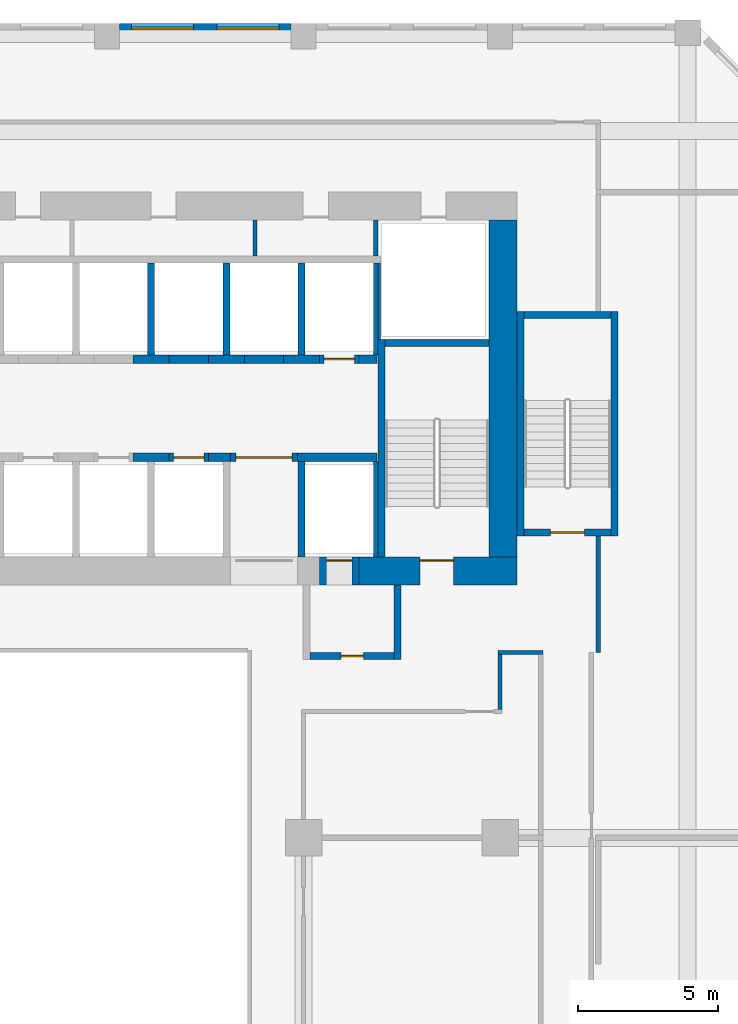
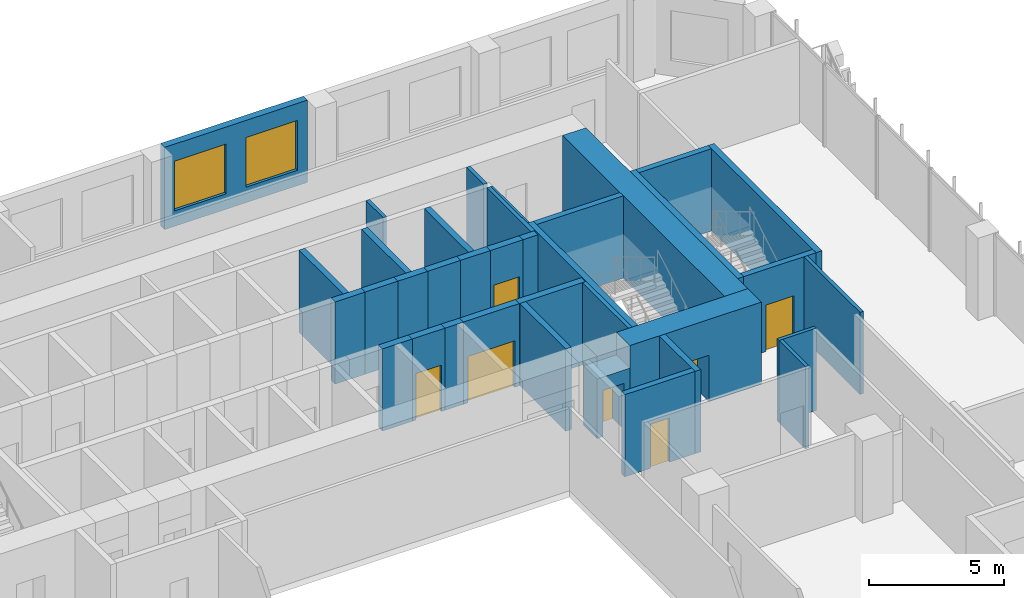
# One storey, part 17 of 27: 36 walls, 7 doors, 2 windows, 9 openings.
"""IFC4 building model written with IfcOpenShell, lengths in metres."""

from ifc_helpers import new_model, si_unit, direction, frame, frame_2d, origin, place, context, subcontext, project, spatial, rectangle, extrude, source, transform, mapped, material, layer, layer_set, type_object, element, fill, save


model = new_model("IFC4")

# Units and contexts
model_context = context("Model", 3, precision=1e-05, world=origin(), true_north=direction((0.0, 1.0)))
body_context = subcontext(model_context, "Body", "Model", "MODEL_VIEW")
ifc_project = project(units=[si_unit("LENGTHUNIT", "METRE"), si_unit("AREAUNIT", "SQUARE_METRE"), si_unit("VOLUMEUNIT", "CUBIC_METRE"), si_unit("PLANEANGLEUNIT", "RADIAN"), si_unit("MASSUNIT", "GRAM", prefix="KILO")], contexts=[model_context])

# Site, building, storey
site_placement = place(None, origin())
site = spatial("IfcSite", under=ifc_project, at=site_placement, CompositionType="ELEMENT")
building_placement = place(site_placement, origin())
building = spatial("IfcBuilding", under=site, at=building_placement, Name="Kilnfold Tower and Market Hall", CompositionType="ELEMENT")
storey_placement = place(building_placement, frame((0.0, 0.0, 51.0)))
storey = spatial("IfcBuildingStorey", under=building, at=storey_placement, Name="L11", CompositionType="ELEMENT", Elevation=51.0)

# Walls
ifc_material_1 = material(Name="Gypsum board on steel studs", Category="steel")
ifc_layer_1 = layer(ifc_material_1, 0.14990234375)
ifc_layer_set_1 = layer_set([ifc_layer_1], Name="Gypsum board on steel studs")
wall_type_1 = type_object("IfcWallType", Name="WALL CORRIDOR 150", PredefinedType="PARTITIONING", material=ifc_layer_set_1)
wall_1_placement = place(storey_placement, frame((17.425048828125, 5.60009765625, 0.0), z_axis=(0.0, 0.0, 1.0), x_axis=(1.0, 0.0, 0.0)))
element("IfcWall", 1, at=wall_1_placement, inside=storey, type_object=wall_type_1, Name="Partition LY10.34", PredefinedType="PARTITIONING", context=body_context, shape_type="SweptSolid", body=[
    extrude(rectangle(XDim=1.599853515625, YDim=0.14990234375, at=frame_2d((0.7998046875, 0.0))), origin(), (0.0, 0.0, 1.0), 3.719970703125),
])
wall_2_placement = place(storey_placement, frame((17.5, 3.574951171875, 0.0), z_axis=(0.0, 0.0, 1.0), x_axis=(0.0, 1.0, 0.0)))
element("IfcWall", 2, at=wall_2_placement, inside=storey, type_object=wall_type_1, Name="Partition LY10.35", PredefinedType="PARTITIONING", context=body_context, shape_type="SweptSolid", body=[
    extrude(rectangle(XDim=1.949951171875, YDim=0.14990234375, at=frame_2d((0.97509765625, 0.0))), origin(), (0.0, 0.0, 1.0), 3.719970703125),
])
wall_3_placement = place(storey_placement, frame((21.0, 5.60009765625, 0.0), z_axis=(0.0, 0.0, 1.0), x_axis=(0.0, 1.0, 0.0)))
element("IfcWall", 3, at=wall_3_placement, inside=storey, type_object=wall_type_1, Name="Partition LY10.38", PredefinedType="PARTITIONING", context=body_context, shape_type="SweptSolid", body=[
    extrude(rectangle(XDim=4.14990234375, YDim=0.14990234375, at=frame_2d((2.074951171875, 0.0))), origin(), (0.0, 0.0, 1.0), 3.719970703125),
])

# Wall, opening, door
ifc_material_2 = material(Name="Concrete C80", Category="concrete")
ifc_layer_2 = layer(ifc_material_2, 1.0)
ifc_layer_set_2 = layer_set([ifc_layer_2], Name="Concrete C80")
wall_type_2 = type_object("IfcWallType", Name="CORE WALL 1000 C80", PredefinedType="SHEAR", material=ifc_layer_set_2)
shared_shape_1 = source(origin(), body_context, "Body", "SweptSolid", [
    extrude(rectangle(XDim=5.630126953125, YDim=1.0, at=frame_2d((2.81494140625, 0.0))), origin(), (0.0, 0.0, 1.0), 3.719970703125),
])
wall_4_placement = place(storey_placement, frame((12.469970703125, 8.5, 0.0), z_axis=(0.0, 0.0, 1.0), x_axis=(1.0, 0.0, 0.0)))
wall_4 = element("IfcWall", 4, at=wall_4_placement, inside=storey, type_object=wall_type_2, Name="Core outer wall south", PredefinedType="SHEAR", context=body_context, shape_type="MappedRepresentation", body=[
    mapped(shared_shape_1, transform((0.0, 0.0, 0.0))),
])
opening_1_placement = place(wall_4_placement, frame((2.179931640625, 0.0, 0.0)))
opening_1 = element("IfcOpeningElement", 5, at=opening_1_placement, cuts=wall_4, Name="Opening SD1", PredefinedType="OPENING", context=body_context, shape_type="SweptSolid", body=[
    extrude(rectangle(XDim=1.199951171875, YDim=2.10009765625, at=frame_2d((0.60009765625, 1.050048828125))), frame((0.0, 0.510009765625, 0.0), z_axis=(0.0, -1.0, 0.0), x_axis=(1.0, 0.0, 0.0)), (0.0, 0.0, 1.0), 1.02001953125),
])
ifc_material_3 = material(Name="Steel door set with fire-resisting leaf", Category="steel")
door_type_1 = type_object("IfcDoorType", Name="STAIR FLOOR DOOR 1200X2100", OperationType="NOTDEFINED", PredefinedType="DOOR", material=ifc_material_3)
door_1_placement = place(opening_1_placement, origin())
door_1 = element("IfcDoor", 6, at=door_1_placement, inside=storey, type_object=door_type_1, Name="Exit stair ST2 door", OperationType="DOUBLE_DOOR_SINGLE_SWING", OverallHeight=2.10009765625, OverallWidth=1.199951171875, PredefinedType="DOOR", context=body_context, shape_type="SweptSolid", body=[
    extrude(rectangle(XDim=1.199951171875, YDim=2.10009765625, at=frame_2d((0.60009765625, 1.050048828125))), frame((0.0, 0.40478515625, 0.0), z_axis=(0.0, -1.0, 0.0), x_axis=(1.0, 0.0, 0.0)), (0.0, 0.0, 1.0), 0.050048828125),
])
fill(opening_1, door_1)

# Walls
shared_shape_2 = source(origin(), body_context, "Body", "SweptSolid", [
    extrude(rectangle(XDim=12.0, YDim=1.0, at=frame_2d((6.0, 0.0))), origin(), (0.0, 0.0, 1.0), 3.719970703125),
])
wall_5_placement = place(storey_placement, frame((17.60009765625, 9.0, 0.0), z_axis=(0.0, 0.0, 1.0), x_axis=(0.0, 1.0, 0.0)))
element("IfcWall", 7, at=wall_5_placement, inside=storey, type_object=wall_type_2, Name="Core outer wall east", PredefinedType="SHEAR", context=body_context, shape_type="MappedRepresentation", body=[
    mapped(shared_shape_2, transform((0.0, 0.0, 0.0))),
])
ifc_material_4 = material(Name="Concrete C80", Category="concrete")
ifc_layer_3 = layer(ifc_material_4, 0.25)
ifc_layer_set_3 = layer_set([ifc_layer_3], Name="Concrete C80")
wall_type_3 = type_object("IfcWallType", Name="CORE WALL 250 C80", PredefinedType="SHEAR", material=ifc_layer_set_3)
shared_shape_3 = source(origin(), body_context, "Body", "SweptSolid", [
    extrude(rectangle(XDim=7.75, YDim=0.25, at=frame_2d((3.875, 0.0))), origin(), (0.0, 0.0, 1.0), 3.719970703125),
])
wall_6_placement = place(storey_placement, frame((13.27490234375, 9.0, 0.0), z_axis=(0.0, 0.0, 1.0), x_axis=(0.0, 1.0, 0.0)))
element("IfcWall", 8, at=wall_6_placement, inside=storey, type_object=wall_type_3, Name="Stair enclosure ST2", PredefinedType="SHEAR", context=body_context, shape_type="MappedRepresentation", body=[
    mapped(shared_shape_3, transform((0.0, 0.0, 0.0))),
])
shared_shape_4 = source(origin(), body_context, "Body", "SweptSolid", [
    extrude(rectangle(XDim=3.7001953125, YDim=0.25, at=frame_2d((1.85009765625, 0.0))), origin(), (0.0, 0.0, 1.0), 3.719970703125),
])
wall_7_placement = place(storey_placement, frame((13.39990234375, 16.625, 0.0), z_axis=(0.0, 0.0, 1.0), x_axis=(1.0, 0.0, 0.0)))
element("IfcWall", 9, at=wall_7_placement, inside=storey, type_object=wall_type_3, Name="Stair enclosure ST2", PredefinedType="SHEAR", context=body_context, shape_type="MappedRepresentation", body=[
    mapped(shared_shape_4, transform((0.0, 0.0, 0.0))),
])
shared_shape_5 = source(origin(), body_context, "Body", "SweptSolid", [
    extrude(rectangle(XDim=8.0, YDim=0.25, at=frame_2d((4.0, 0.0))), origin(), (0.0, 0.0, 1.0), 3.719970703125),
])
for number, where, z_axis, x_axis, name in (
    (10, (18.22509765625, 9.75, 0.0), (0.0, 0.0, 1.0), (0.0, 1.0, 0.0), "Stair enclosure ST5"),
    (11, (21.574951171875, 9.75, 0.0), (0.0, 0.0, 1.0), (0.0, 1.0, 0.0), "Stair enclosure ST5"),
):
    element("IfcWall", number, at=place(storey_placement, frame(where, z_axis=z_axis, x_axis=x_axis)), inside=storey, type_object=wall_type_3, Name=name, PredefinedType="SHEAR", context=body_context, shape_type="MappedRepresentation", body=[
        mapped(shared_shape_5, transform((0.0, 0.0, 0.0))),
    ])

# Wall, opening, door
shared_shape_6 = source(origin(), body_context, "Body", "SweptSolid", [
    extrude(rectangle(XDim=3.099853515625, YDim=0.25, at=frame_2d((1.5498046875, 0.0))), origin(), (0.0, 0.0, 1.0), 3.719970703125),
])
wall_8_placement = place(storey_placement, frame((18.35009765625, 9.875, 0.0), z_axis=(0.0, 0.0, 1.0), x_axis=(1.0, 0.0, 0.0)))
wall_8 = element("IfcWall", 12, at=wall_8_placement, inside=storey, type_object=wall_type_3, Name="Stair enclosure ST5", PredefinedType="SHEAR", context=body_context, shape_type="MappedRepresentation", body=[
    mapped(shared_shape_6, transform((0.0, 0.0, 0.0))),
])
opening_2_placement = place(wall_8_placement, frame((0.949951171875, 0.0, 0.0)))
opening_2 = element("IfcOpeningElement", 13, at=opening_2_placement, cuts=wall_8, Name="Opening SD1", PredefinedType="OPENING", context=body_context, shape_type="SweptSolid", body=[
    extrude(rectangle(XDim=1.199951171875, YDim=2.10009765625, at=frame_2d((0.60009765625, 1.050048828125))), frame((0.0, 0.135009765625, 0.0), z_axis=(0.0, -1.0, 0.0), x_axis=(1.0, 0.0, 0.0)), (0.0, 0.0, 1.0), 0.27001953125),
])
door_2_placement = place(opening_2_placement, origin())
door_2 = element("IfcDoor", 14, at=door_2_placement, inside=storey, type_object=door_type_1, Name="Exit stair ST5 door", OperationType="DOUBLE_DOOR_SINGLE_SWING", OverallHeight=2.10009765625, OverallWidth=1.199951171875, PredefinedType="DOOR", context=body_context, shape_type="SweptSolid", body=[
    extrude(rectangle(XDim=1.199951171875, YDim=2.10009765625, at=frame_2d((0.60009765625, 1.050048828125))), frame((0.0, 0.02490234375, 0.0), z_axis=(0.0, -1.0, 0.0), x_axis=(1.0, 0.0, 0.0)), (0.0, 0.0, 1.0), 0.050048828125),
])
fill(opening_2, door_2)

# Walls
wall_9_placement = place(storey_placement, frame((18.35009765625, 17.625, 0.0), z_axis=(0.0, 0.0, 1.0), x_axis=(1.0, 0.0, 0.0)))
element("IfcWall", 15, at=wall_9_placement, inside=storey, type_object=wall_type_3, Name="Stair enclosure ST5", PredefinedType="SHEAR", context=body_context, shape_type="MappedRepresentation", body=[
    mapped(shared_shape_6, transform((0.0, 0.0, 0.0))),
])
ifc_material_5 = material(Name="Concrete C80", Category="concrete")
ifc_layer_4 = layer(ifc_material_5, 0.300048828125)
ifc_layer_set_4 = layer_set([ifc_layer_4], Name="Concrete C80")
wall_type_4 = type_object("IfcWallType", Name="CORE WALL 300 C80", PredefinedType="SHEAR", material=ifc_layer_set_4)
shared_shape_7 = source(origin(), body_context, "Body", "SweptSolid", [
    extrude(rectangle(XDim=1.280029296875, YDim=0.300048828125, at=frame_2d((0.64013671875, 0.0))), origin(), (0.0, 0.0, 1.0), 3.719970703125),
])
for number, where, z_axis, x_axis, name in (
    (16, (4.429931640625, 12.550048828125, 0.0), (0.0, 0.0, 1.0), (1.0, 0.0, 0.0), "Core spine wall"),
    (17, (4.429931640625, 16.050048828125, 0.0), (0.0, 0.0, 1.0), (1.0, 0.0, 0.0), "Core spine wall"),
    (18, (9.7900390625, 16.050048828125, 0.0), (0.0, 0.0, 1.0), (1.0, 0.0, 0.0), "Core spine wall"),
):
    element("IfcWall", number, at=place(storey_placement, frame(where, z_axis=z_axis, x_axis=x_axis)), inside=storey, type_object=wall_type_4, Name=name, PredefinedType="SHEAR", context=body_context, shape_type="MappedRepresentation", body=[
        mapped(shared_shape_7, transform((0.0, 0.0, 0.0))),
    ])
shared_shape_8 = source(origin(), body_context, "Body", "SweptSolid", [
    extrude(rectangle(XDim=0.77978515625, YDim=0.300048828125, at=frame_2d((0.389892578125, 0.0))), origin(), (0.0, 0.0, 1.0), 3.719970703125),
])
wall_10_placement = place(storey_placement, frame((7.110107421875, 12.550048828125, 0.0), z_axis=(0.0, 0.0, 1.0), x_axis=(1.0, 0.0, 0.0)))
element("IfcWall", 19, at=wall_10_placement, inside=storey, type_object=wall_type_4, Name="Core spine wall", PredefinedType="SHEAR", context=body_context, shape_type="MappedRepresentation", body=[
    mapped(shared_shape_8, transform((0.0, 0.0, 0.0))),
])
shared_shape_9 = source(origin(), body_context, "Body", "SweptSolid", [
    extrude(rectangle(XDim=2.820068359375, YDim=0.300048828125, at=frame_2d((1.41015625, 0.0))), origin(), (0.0, 0.0, 1.0), 3.719970703125),
])
wall_11_placement = place(storey_placement, frame((10.2900390625, 12.550048828125, 0.0), z_axis=(0.0, 0.0, 1.0), x_axis=(1.0, 0.0, 0.0)))
element("IfcWall", 20, at=wall_11_placement, inside=storey, type_object=wall_type_4, Name="Core spine wall", PredefinedType="SHEAR", context=body_context, shape_type="MappedRepresentation", body=[
    mapped(shared_shape_9, transform((0.0, 0.0, 0.0))),
])
shared_shape_10 = source(origin(), body_context, "Body", "SweptSolid", [
    extrude(rectangle(XDim=1.27978515625, YDim=0.300048828125, at=frame_2d((0.639892578125, 0.0))), origin(), (0.0, 0.0, 1.0), 3.719970703125),
])
wall_12_placement = place(storey_placement, frame((7.110107421875, 16.050048828125, 0.0), z_axis=(0.0, 0.0, 1.0), x_axis=(1.0, 0.0, 0.0)))
element("IfcWall", 21, at=wall_12_placement, inside=storey, type_object=wall_type_4, Name="Core spine wall", PredefinedType="SHEAR", context=body_context, shape_type="MappedRepresentation", body=[
    mapped(shared_shape_10, transform((0.0, 0.0, 0.0))),
])
shared_shape_11 = source(origin(), body_context, "Body", "SweptSolid", [
    extrude(rectangle(XDim=0.64013671875, YDim=0.300048828125, at=frame_2d((0.320068359375, 0.0))), origin(), (0.0, 0.0, 1.0), 3.719970703125),
])
wall_13_placement = place(storey_placement, frame((12.469970703125, 16.050048828125, 0.0), z_axis=(0.0, 0.0, 1.0), x_axis=(1.0, 0.0, 0.0)))
element("IfcWall", 22, at=wall_13_placement, inside=storey, type_object=wall_type_4, Name="Core spine wall", PredefinedType="SHEAR", context=body_context, shape_type="MappedRepresentation", body=[
    mapped(shared_shape_11, transform((0.0, 0.0, 0.0))),
])

# Wall, openings, windows
ifc_material_6 = material(Name="Precast concrete C50/60", Category="concrete")
ifc_layer_5 = layer(ifc_material_6, 0.300048828125)
ifc_layer_set_5 = layer_set([ifc_layer_5], Name="Precast concrete C50/60")
wall_type_5 = type_object("IfcWallType", Name="PRECAST WALL 300", PredefinedType="SOLIDWALL", material=ifc_layer_set_5)
shared_shape_12 = source(origin(), body_context, "Body", "SweptSolid", [
    extrude(rectangle(XDim=6.10009765625, YDim=0.300048828125, at=frame_2d((3.050048828125, 0.0))), origin(), (0.0, 0.0, 1.0), 3.719970703125),
])
wall_14_placement = place(storey_placement, frame((10.050048828125, 27.85009765625, 0.0), z_axis=(0.0, 0.0, 1.0), x_axis=(-1.0, 0.0, 0.0)))
wall_14 = element("IfcWall", 23, at=wall_14_placement, inside=storey, type_object=wall_type_5, Name="External wall L11 N", PredefinedType="SOLIDWALL", context=body_context, shape_type="MappedRepresentation", body=[
    mapped(shared_shape_12, transform((0.0, 0.0, 0.0))),
])
opening_3_placement = place(wall_14_placement, frame((0.425048828125, 0.0, 0.699951171875)))
opening_3 = element("IfcOpeningElement", 24, at=opening_3_placement, cuts=wall_14, Name="Opening W1", PredefinedType="OPENING", context=body_context, shape_type="SweptSolid", body=[
    extrude(rectangle(XDim=2.199951171875, YDim=2.25, at=frame_2d((1.10009765625, 1.125))), frame((0.0, 0.16015625, 0.0), z_axis=(0.0, -1.0, 0.0), x_axis=(1.0, 0.0, 0.0)), (0.0, 0.0, 1.0), 0.320068359375),
])
opening_4_placement = place(wall_14_placement, frame((3.47509765625, 0.0, 0.699951171875)))
opening_4 = element("IfcOpeningElement", 25, at=opening_4_placement, cuts=wall_14, Name="Opening W1", PredefinedType="OPENING", context=body_context, shape_type="SweptSolid", body=[
    extrude(rectangle(XDim=2.199951171875, YDim=2.25, at=frame_2d((1.10009765625, 1.125))), frame((0.0, 0.16015625, 0.0), z_axis=(0.0, -1.0, 0.0), x_axis=(1.0, 0.0, 0.0)), (0.0, 0.0, 1.0), 0.320068359375),
])
ifc_material_7 = material(Name="Aluminium frame and double glazing", Category="aluminium")
window_type = type_object("IfcWindowType", Name="WINDOW W1 2200X2250", PartitioningType="SINGLE_PANEL", PredefinedType="WINDOW", material=ifc_material_7)
window_1_placement = place(opening_3_placement, origin())
window_1 = element("IfcWindow", 26, at=window_1_placement, inside=storey, type_object=window_type, Name="Window W1 L11 N-1", OverallHeight=2.25, OverallWidth=2.199951171875, PartitioningType="SINGLE_PANEL", PredefinedType="WINDOW", context=body_context, shape_type="SweptSolid", body=[
    extrude(rectangle(XDim=2.199951171875, YDim=2.25, at=frame_2d((1.10009765625, 1.125))), frame((0.0, 0.030029296875, 0.0), z_axis=(0.0, -1.0, 0.0), x_axis=(1.0, 0.0, 0.0)), (0.0, 0.0, 1.0), 0.06005859375),
])
fill(opening_3, window_1)
window_2_placement = place(opening_4_placement, origin())
window_2 = element("IfcWindow", 27, at=window_2_placement, inside=storey, type_object=window_type, Name="Window W1 L11 N-2", OverallHeight=2.25, OverallWidth=2.199951171875, PartitioningType="SINGLE_PANEL", PredefinedType="WINDOW", context=body_context, shape_type="SweptSolid", body=[
    extrude(rectangle(XDim=2.199951171875, YDim=2.25, at=frame_2d((1.10009765625, 1.125))), frame((0.0, 0.030029296875, 0.0), z_axis=(0.0, -1.0, 0.0), x_axis=(1.0, 0.0, 0.0)), (0.0, 0.0, 1.0), 0.06005859375),
])
fill(opening_4, window_2)

# Wall, opening, door
ifc_material_8 = material(Name="Gypsum shaft wall system")
ifc_layer_6 = layer(ifc_material_8, 1.0)
ifc_layer_set_6 = layer_set([ifc_layer_6], Name="Gypsum shaft wall system")
wall_type_6 = type_object("IfcWallType", Name="LOBBY WALL 1000", PredefinedType="PARTITIONING", material=ifc_layer_set_6)
shared_shape_13 = source(origin(), body_context, "Body", "SweptSolid", [
    extrude(rectangle(XDim=1.39990234375, YDim=1.0, at=frame_2d((0.699951171875, 0.0))), origin(), (0.0, 0.0, 1.0), 2.699951171875),
])
wall_15_placement = place(storey_placement, frame((11.070068359375, 8.5, 0.0), z_axis=(0.0, 0.0, 1.0), x_axis=(1.0, 0.0, 0.0)))
wall_15 = element("IfcWall", 28, at=wall_15_placement, inside=storey, type_object=wall_type_6, Name="Core wall infill", PredefinedType="PARTITIONING", context=body_context, shape_type="MappedRepresentation", body=[
    mapped(shared_shape_13, transform((0.0, 0.0, 0.0))),
])
opening_5_placement = place(wall_15_placement, frame((0.25, 0.0, 0.0)))
opening_5 = element("IfcOpeningElement", 29, at=opening_5_placement, cuts=wall_15, Name="Opening LD1", PredefinedType="OPENING", context=body_context, shape_type="SweptSolid", body=[
    extrude(rectangle(XDim=0.89990234375, YDim=2.10009765625, at=frame_2d((0.449951171875, 1.050048828125))), frame((0.0, 0.510009765625, 0.0), z_axis=(0.0, -1.0, 0.0), x_axis=(1.0, 0.0, 0.0)), (0.0, 0.0, 1.0), 1.02001953125),
])
ifc_material_9 = material(Name="Steel door set with fire-resisting leaf", Category="steel")
door_type_2 = type_object("IfcDoorType", Name="FIREFIGHTING LANDING DOOR 900X2100", OperationType="NOTDEFINED", PredefinedType="DOOR", material=ifc_material_9)
door_3_placement = place(opening_5_placement, origin())
door_3 = element("IfcDoor", 30, at=door_3_placement, inside=storey, type_object=door_type_2, Name="Landing door FF3", OperationType="SLIDING_TO_LEFT", OverallHeight=2.10009765625, OverallWidth=0.89990234375, PredefinedType="DOOR", context=body_context, shape_type="SweptSolid", body=[
    extrude(rectangle(XDim=0.89990234375, YDim=2.10009765625, at=frame_2d((0.449951171875, 1.050048828125))), frame((0.0, 0.40478515625, 0.0), z_axis=(0.0, -1.0, 0.0), x_axis=(1.0, 0.0, 0.0)), (0.0, 0.0, 1.0), 0.050048828125),
])
fill(opening_5, door_3)

ifc_material_10 = material(Name="Gypsum shaft wall system")
ifc_layer_7 = layer(ifc_material_10, 0.300048828125)
ifc_layer_set_7 = layer_set([ifc_layer_7], Name="Gypsum shaft wall system")
wall_type_7 = type_object("IfcWallType", Name="SHAFT WALL 300", PredefinedType="PARTITIONING", material=ifc_layer_set_7)
shared_shape_14 = source(origin(), body_context, "Body", "SweptSolid", [
    extrude(rectangle(XDim=1.39990234375, YDim=0.300048828125, at=frame_2d((0.699951171875, 0.0))), origin(), (0.0, 0.0, 1.0), 3.719970703125),
])
wall_16_placement = place(storey_placement, frame((11.070068359375, 16.050048828125, 0.0), z_axis=(0.0, 0.0, 1.0), x_axis=(1.0, 0.0, 0.0)))
wall_16 = element("IfcWall", 31, at=wall_16_placement, inside=storey, type_object=wall_type_7, Name="Lift shaft front wall", PredefinedType="PARTITIONING", context=body_context, shape_type="MappedRepresentation", body=[
    mapped(shared_shape_14, transform((0.0, 0.0, 0.0))),
])
opening_6_placement = place(wall_16_placement, frame((0.14990234375, 0.0, 0.0)))
opening_6 = element("IfcOpeningElement", 32, at=opening_6_placement, cuts=wall_16, Name="Opening LD2", PredefinedType="OPENING", context=body_context, shape_type="SweptSolid", body=[
    extrude(rectangle(XDim=1.10009765625, YDim=2.10009765625, at=frame_2d((0.550048828125, 1.050048828125))), frame((0.0, 0.16015625, 0.0), z_axis=(0.0, -1.0, 0.0), x_axis=(1.0, 0.0, 0.0)), (0.0, 0.0, 1.0), 0.320068359375),
])
ifc_material_11 = material(Name="Steel door set with fire-resisting leaf", Category="steel")
door_type_3 = type_object("IfcDoorType", Name="LANDING DOOR 1100X2100", OperationType="NOTDEFINED", PredefinedType="DOOR", material=ifc_material_11)
door_4_placement = place(opening_6_placement, origin())
door_4 = element("IfcDoor", 33, at=door_4_placement, inside=storey, type_object=door_type_3, Name="Landing door LR6", OperationType="DOUBLE_DOOR_SLIDING", OverallHeight=2.10009765625, OverallWidth=1.10009765625, PredefinedType="DOOR", context=body_context, shape_type="SweptSolid", body=[
    extrude(rectangle(XDim=1.10009765625, YDim=2.10009765625, at=frame_2d((0.550048828125, 1.050048828125))), frame((0.0, 0.02490234375, 0.0), z_axis=(0.0, -1.0, 0.0), x_axis=(1.0, 0.0, 0.0)), (0.0, 0.0, 1.0), 0.050048828125),
])
fill(opening_6, door_4)

shared_shape_15 = source(origin(), body_context, "Body", "SweptSolid", [
    extrude(rectangle(XDim=1.400146484375, YDim=0.300048828125, at=frame_2d((0.7001953125, 0.0))), origin(), (0.0, 0.0, 1.0), 3.719970703125),
])
wall_17_placement = place(storey_placement, frame((5.7099609375, 12.550048828125, 0.0), z_axis=(0.0, 0.0, 1.0), x_axis=(1.0, 0.0, 0.0)))
wall_17 = element("IfcWall", 34, at=wall_17_placement, inside=storey, type_object=wall_type_7, Name="Lift shaft front wall", PredefinedType="PARTITIONING", context=body_context, shape_type="MappedRepresentation", body=[
    mapped(shared_shape_15, transform((0.0, 0.0, 0.0))),
])
opening_7_placement = place(wall_17_placement, frame((0.14990234375, 0.0, 0.0)))
opening_7 = element("IfcOpeningElement", 35, at=opening_7_placement, cuts=wall_17, Name="Opening LD2", PredefinedType="OPENING", context=body_context, shape_type="SweptSolid", body=[
    extrude(rectangle(XDim=1.10009765625, YDim=2.10009765625, at=frame_2d((0.550048828125, 1.050048828125))), frame((0.0, 0.16015625, 0.0), z_axis=(0.0, -1.0, 0.0), x_axis=(1.0, 0.0, 0.0)), (0.0, 0.0, 1.0), 0.320068359375),
])
door_5_placement = place(opening_7_placement, origin())
door_5 = element("IfcDoor", 36, at=door_5_placement, inside=storey, type_object=door_type_3, Name="Landing door LR5", OperationType="DOUBLE_DOOR_SLIDING", OverallHeight=2.10009765625, OverallWidth=1.10009765625, PredefinedType="DOOR", context=body_context, shape_type="SweptSolid", body=[
    extrude(rectangle(XDim=1.10009765625, YDim=2.10009765625, at=frame_2d((0.550048828125, 1.050048828125))), frame((0.0, 0.02490234375, 0.0), z_axis=(0.0, -1.0, 0.0), x_axis=(1.0, 0.0, 0.0)), (0.0, 0.0, 1.0), 0.050048828125),
])
fill(opening_7, door_5)

# Walls
for number, where, z_axis, x_axis, name in (
    (37, (5.7099609375, 16.050048828125, 0.0), (0.0, 0.0, 1.0), (1.0, 0.0, 0.0), "Lift shaft front wall"),
    (38, (8.389892578125, 16.050048828125, 0.0), (0.0, 0.0, 1.0), (1.0, 0.0, 0.0), "Lift shaft front wall"),
):
    element("IfcWall", number, at=place(storey_placement, frame(where, z_axis=z_axis, x_axis=x_axis)), inside=storey, type_object=wall_type_7, Name=name, PredefinedType="PARTITIONING", context=body_context, shape_type="MappedRepresentation", body=[
        mapped(shared_shape_15, transform((0.0, 0.0, 0.0))),
    ])

# Wall, opening, door
shared_shape_16 = source(origin(), body_context, "Body", "SweptSolid", [
    extrude(rectangle(XDim=2.400146484375, YDim=0.300048828125, at=frame_2d((1.2001953125, 0.0))), origin(), (0.0, 0.0, 1.0), 3.719970703125),
])
wall_18_placement = place(storey_placement, frame((7.889892578125, 12.550048828125, 0.0), z_axis=(0.0, 0.0, 1.0), x_axis=(1.0, 0.0, 0.0)))
wall_18 = element("IfcWall", 39, at=wall_18_placement, inside=storey, type_object=wall_type_7, Name="Lift shaft front wall", PredefinedType="PARTITIONING", context=body_context, shape_type="MappedRepresentation", body=[
    mapped(shared_shape_16, transform((0.0, 0.0, 0.0))),
])
opening_8_placement = place(wall_18_placement, frame((0.199951171875, 0.0, 0.0)))
opening_8 = element("IfcOpeningElement", 40, at=opening_8_placement, cuts=wall_18, Name="Opening VD2", PredefinedType="OPENING", context=body_context, shape_type="SweptSolid", body=[
    extrude(rectangle(XDim=2.0, YDim=2.10009765625, at=frame_2d((1.0, 1.050048828125))), frame((0.0, 0.16015625, 0.0), z_axis=(0.0, -1.0, 0.0), x_axis=(1.0, 0.0, 0.0)), (0.0, 0.0, 1.0), 0.320068359375),
])
ifc_material_12 = material(Name="Steel door set with fire-resisting leaf", Category="steel")
door_type_4 = type_object("IfcDoorType", Name="LIFT LOBBY ENTRANCE DOOR 2000X2100", OperationType="NOTDEFINED", PredefinedType="DOOR", material=ifc_material_12)
door_6_placement = place(opening_8_placement, origin())
door_6 = element("IfcDoor", 41, at=door_6_placement, inside=storey, type_object=door_type_4, Name="Lift lobby entrance door", OperationType="DOUBLE_DOOR_SINGLE_SWING", OverallHeight=2.10009765625, OverallWidth=2.0, PredefinedType="DOOR", context=body_context, shape_type="SweptSolid", body=[
    extrude(rectangle(XDim=2.0, YDim=2.10009765625, at=frame_2d((1.0, 1.050048828125))), frame((0.0, 0.02490234375, 0.0), z_axis=(0.0, -1.0, 0.0), x_axis=(1.0, 0.0, 0.0)), (0.0, 0.0, 1.0), 0.050048828125),
])
fill(opening_8, door_6)

# Wall
ifc_material_13 = material(Name="Gypsum shaft wall system")
ifc_layer_8 = layer(ifc_material_13, 0.25)
ifc_layer_set_8 = layer_set([ifc_layer_8], Name="Gypsum shaft wall system")
wall_type_8 = type_object("IfcWallType", Name="LOBBY WALL 250", PredefinedType="PARTITIONING", material=ifc_layer_set_8)
shared_shape_17 = source(origin(), body_context, "Body", "SweptSolid", [
    extrude(rectangle(XDim=2.64990234375, YDim=0.25, at=frame_2d((1.324951171875, 0.0))), origin(), (0.0, 0.0, 1.0), 3.719970703125),
])
wall_19_placement = place(storey_placement, frame((13.85498046875, 5.35009765625, 0.0), z_axis=(0.0, 0.0, 1.0), x_axis=(0.0, 1.0, 0.0)))
element("IfcWall", 42, at=wall_19_placement, inside=storey, type_object=wall_type_8, Name="Firefighting lobby wall", PredefinedType="PARTITIONING", context=body_context, shape_type="MappedRepresentation", body=[
    mapped(shared_shape_17, transform((0.0, 0.0, 0.0))),
])

# Wall, opening, door
shared_shape_18 = source(origin(), body_context, "Body", "SweptSolid", [
    extrude(rectangle(XDim=3.0, YDim=0.25, at=frame_2d((1.5, 0.0))), origin(), (0.0, 0.0, 1.0), 3.719970703125),
])
wall_20_placement = place(storey_placement, frame((10.72998046875, 5.47509765625, 0.0), z_axis=(0.0, 0.0, 1.0), x_axis=(1.0, 0.0, 0.0)))
wall_20 = element("IfcWall", 43, at=wall_20_placement, inside=storey, type_object=wall_type_8, Name="Firefighting lobby wall", PredefinedType="PARTITIONING", context=body_context, shape_type="MappedRepresentation", body=[
    mapped(shared_shape_18, transform((0.0, 0.0, 0.0))),
])
opening_9_placement = place(wall_20_placement, frame((1.10009765625, 0.0, 0.0)))
opening_9 = element("IfcOpeningElement", 44, at=opening_9_placement, cuts=wall_20, Name="Opening VD1", PredefinedType="OPENING", context=body_context, shape_type="SweptSolid", body=[
    extrude(rectangle(XDim=0.800048828125, YDim=2.0, at=frame_2d((0.39990234375, 1.0))), frame((0.0, 0.135009765625, 0.0), z_axis=(0.0, -1.0, 0.0), x_axis=(1.0, 0.0, 0.0)), (0.0, 0.0, 1.0), 0.27001953125),
])
ifc_material_14 = material(Name="Steel door set with fire-resisting leaf", Category="steel")
door_type_5 = type_object("IfcDoorType", Name="FIREFIGHTING LOBBY DOOR 800X2000", OperationType="NOTDEFINED", PredefinedType="DOOR", material=ifc_material_14)
door_7_placement = place(opening_9_placement, origin())
door_7 = element("IfcDoor", 45, at=door_7_placement, inside=storey, type_object=door_type_5, Name="Firefighting lobby door", OperationType="SINGLE_SWING_RIGHT", OverallHeight=2.0, OverallWidth=0.800048828125, PredefinedType="DOOR", context=body_context, shape_type="SweptSolid", body=[
    extrude(rectangle(XDim=0.800048828125, YDim=2.0, at=frame_2d((0.39990234375, 1.0))), frame((0.0, 0.02490234375, 0.0), z_axis=(0.0, -1.0, 0.0), x_axis=(1.0, 0.0, 0.0)), (0.0, 0.0, 1.0), 0.050048828125),
])
fill(opening_9, door_7)

# Walls
ifc_material_15 = material(Name="Gypsum shaft wall system")
ifc_layer_9 = layer(ifc_material_15, 0.1650390625)
ifc_layer_set_9 = layer_set([ifc_layer_9], Name="Gypsum shaft wall system")
wall_type_9 = type_object("IfcWallType", Name="SHAFT WALL 165", PredefinedType="PARTITIONING", material=ifc_layer_set_9)
shared_shape_19 = source(origin(), body_context, "Body", "SweptSolid", [
    extrude(rectangle(XDim=3.275146484375, YDim=0.1650390625, at=frame_2d((1.6376953125, 0.0))), origin(), (0.0, 0.0, 1.0), 3.719970703125),
])
wall_21_placement = place(storey_placement, frame((13.0673828125, 16.199951171875, 0.0), z_axis=(0.0, 0.0, 1.0), x_axis=(0.0, 1.0, 0.0)))
element("IfcWall", 46, at=wall_21_placement, inside=storey, type_object=wall_type_9, Name="Lift shaft wall", PredefinedType="PARTITIONING", context=body_context, shape_type="MappedRepresentation", body=[
    mapped(shared_shape_19, transform((0.0, 0.0, 0.0))),
])
shared_shape_20 = source(origin(), body_context, "Body", "SweptSolid", [
    extrude(rectangle(XDim=1.27490234375, YDim=0.1650390625, at=frame_2d((0.637451171875, 0.0))), origin(), (0.0, 0.0, 1.0), 3.719970703125),
])
wall_22_placement = place(storey_placement, frame((13.0673828125, 19.72509765625, 0.0), z_axis=(0.0, 0.0, 1.0), x_axis=(0.0, 1.0, 0.0)))
element("IfcWall", 47, at=wall_22_placement, inside=storey, type_object=wall_type_9, Name="Lift shaft wall", PredefinedType="PARTITIONING", context=body_context, shape_type="MappedRepresentation", body=[
    mapped(shared_shape_20, transform((0.0, 0.0, 0.0))),
])
ifc_material_16 = material(Name="Gypsum shaft wall system")
ifc_layer_10 = layer(ifc_material_16, 0.25)
ifc_layer_set_10 = layer_set([ifc_layer_10], Name="Gypsum shaft wall system")
wall_type_10 = type_object("IfcWallType", Name="SHAFT WALL 250", PredefinedType="PARTITIONING", material=ifc_layer_set_10)
shared_shape_21 = source(origin(), body_context, "Body", "SweptSolid", [
    extrude(rectangle(XDim=3.275146484375, YDim=0.25, at=frame_2d((1.6376953125, 0.0))), origin(), (0.0, 0.0, 1.0), 3.719970703125),
])
for number, where, z_axis, x_axis, name in (
    (48, (10.429931640625, 16.199951171875, 0.0), (0.0, 0.0, 1.0), (0.0, 1.0, 0.0), "Lift shaft wall"),
    (49, (5.070068359375, 16.199951171875, 0.0), (0.0, 0.0, 1.0), (0.0, 1.0, 0.0), "Lift shaft wall"),
    (50, (7.75, 16.199951171875, 0.0), (0.0, 0.0, 1.0), (0.0, 1.0, 0.0), "Lift shaft wall"),
):
    element("IfcWall", number, at=place(storey_placement, frame(where, z_axis=z_axis, x_axis=x_axis)), inside=storey, type_object=wall_type_10, Name=name, PredefinedType="PARTITIONING", context=body_context, shape_type="MappedRepresentation", body=[
        mapped(shared_shape_21, transform((0.0, 0.0, 0.0))),
    ])
ifc_material_17 = material(Name="Gypsum shaft wall system")
ifc_layer_11 = layer(ifc_material_17, 0.0849609375)
ifc_layer_set_11 = layer_set([ifc_layer_11], Name="Gypsum shaft wall system")
wall_type_11 = type_object("IfcWallType", Name="SHAFT WALL 85", PredefinedType="PARTITIONING", material=ifc_layer_set_11)
shared_shape_22 = source(origin(), body_context, "Body", "SweptSolid", [
    extrude(rectangle(XDim=2.72509765625, YDim=0.0849609375, at=frame_2d((1.362548828125, 0.0))), origin(), (0.0, 0.0, 1.0), 3.719970703125),
])
wall_23_placement = place(storey_placement, frame((13.1923828125, 16.75, 0.0), z_axis=(0.0, 0.0, 1.0), x_axis=(0.0, 1.0, 0.0)))
element("IfcWall", 51, at=wall_23_placement, inside=storey, type_object=wall_type_11, Name="Lift shaft wall", PredefinedType="PARTITIONING", context=body_context, shape_type="MappedRepresentation", body=[
    mapped(shared_shape_22, transform((0.0, 0.0, 0.0))),
])
shared_shape_23 = source(origin(), body_context, "Body", "SweptSolid", [
    extrude(rectangle(XDim=3.39990234375, YDim=0.25, at=frame_2d((1.699951171875, 0.0))), origin(), (0.0, 0.0, 1.0), 3.719970703125),
])
wall_24_placement = place(storey_placement, frame((10.429931640625, 9.0, 0.0), z_axis=(0.0, 0.0, 1.0), x_axis=(0.0, 1.0, 0.0)))
element("IfcWall", 52, at=wall_24_placement, inside=storey, type_object=wall_type_10, Name="Lift shaft wall", PredefinedType="PARTITIONING", context=body_context, shape_type="MappedRepresentation", body=[
    mapped(shared_shape_23, transform((0.0, 0.0, 0.0))),
])
shared_shape_24 = source(origin(), body_context, "Body", "SweptSolid", [
    extrude(rectangle(XDim=3.39990234375, YDim=0.1650390625, at=frame_2d((1.699951171875, 0.0))), origin(), (0.0, 0.0, 1.0), 3.719970703125),
])
wall_25_placement = place(storey_placement, frame((13.0673828125, 9.0, 0.0), z_axis=(0.0, 0.0, 1.0), x_axis=(0.0, 1.0, 0.0)))
element("IfcWall", 53, at=wall_25_placement, inside=storey, type_object=wall_type_9, Name="Lift shaft wall", PredefinedType="PARTITIONING", context=body_context, shape_type="MappedRepresentation", body=[
    mapped(shared_shape_24, transform((0.0, 0.0, 0.0))),
])
ifc_material_18 = material(Name="Gypsum shaft wall system")
ifc_layer_12 = layer(ifc_material_18, 0.14990234375)
ifc_layer_set_12 = layer_set([ifc_layer_12], Name="Gypsum shaft wall system")
wall_type_12 = type_object("IfcWallType", Name="ROOM WALL 150", PredefinedType="PARTITIONING", material=ifc_layer_set_12)
shared_shape_25 = source(origin(), body_context, "Body", "SweptSolid", [
    extrude(rectangle(XDim=1.27490234375, YDim=0.14990234375, at=frame_2d((0.637451171875, 0.0))), origin(), (0.0, 0.0, 1.0), 3.719970703125),
])
wall_26_placement = place(storey_placement, frame((8.768310546875, 19.72509765625, 0.0), z_axis=(0.0, 0.0, 1.0), x_axis=(0.0, 1.0, 0.0)))
element("IfcWall", 54, at=wall_26_placement, inside=storey, type_object=wall_type_12, Name="Core room wall", PredefinedType="PARTITIONING", context=body_context, shape_type="MappedRepresentation", body=[
    mapped(shared_shape_25, transform((0.0, 0.0, 0.0))),
])

save(model, "model.ifc")
